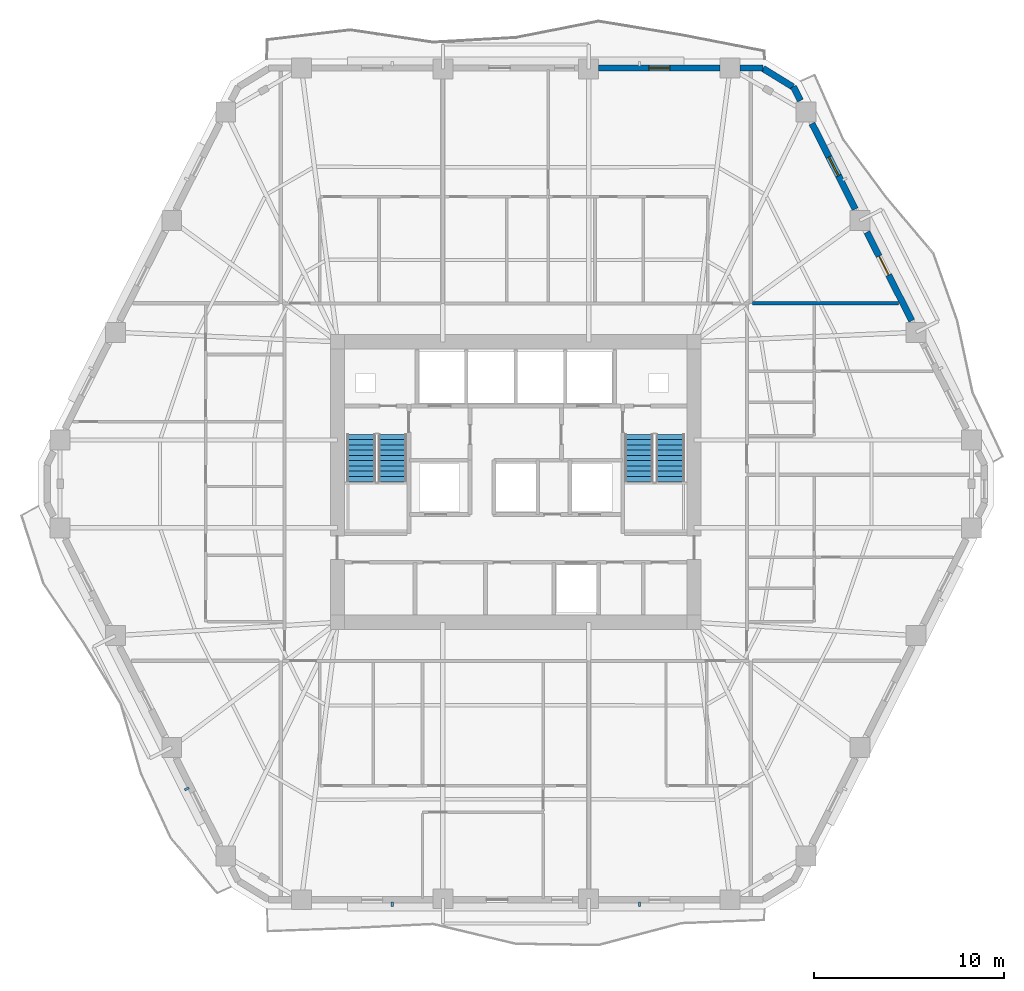
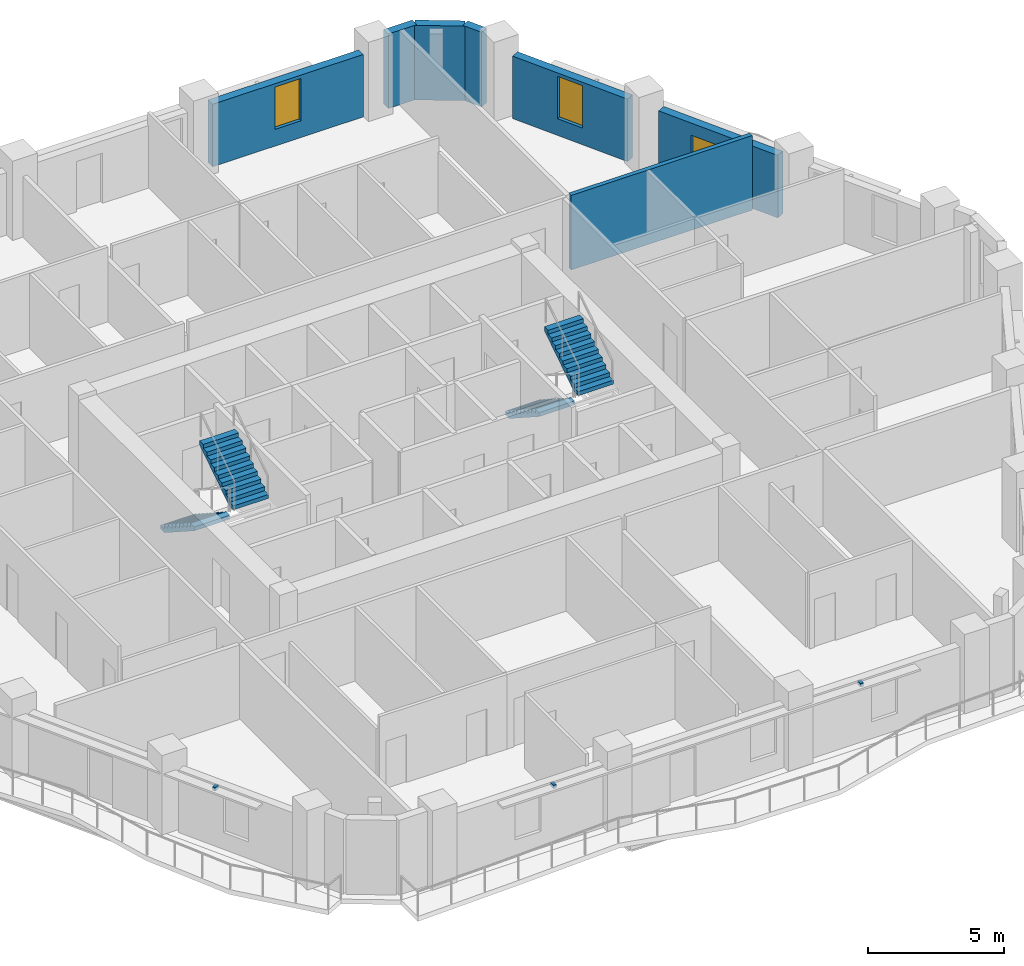
# One storey, part 8 of 12: 7 walls, 4 stair flights, 3 discrete accessories, 2 windows, 1 door, 3 openings, 2 elements without a shape of their own.
"""IFC4 building model written with IfcOpenShell, lengths in metres."""

from ifc_helpers import new_model, si_unit, direction, frame, frame_2d, origin, origin_2d, place, context, subcontext, project, spatial, polyline, rectangle, outline, extrude, material, layer, layer_set, type_object, element, fill, aggregate, save


model = new_model("IFC4")

# Units and contexts
model_context = context("Model", 3, precision=1e-05, world=origin(), true_north=direction((0.0, 1.0)))
body_context = subcontext(model_context, "Body", "Model", "MODEL_VIEW")
ifc_project = project(units=[si_unit("LENGTHUNIT", "METRE"), si_unit("AREAUNIT", "SQUARE_METRE"), si_unit("VOLUMEUNIT", "CUBIC_METRE"), si_unit("PLANEANGLEUNIT", "RADIAN"), si_unit("MASSUNIT", "GRAM", prefix="KILO")], contexts=[model_context])

# Site, building, storey
site_placement = place(None, origin())
site = spatial("IfcSite", under=ifc_project, at=site_placement, CompositionType="ELEMENT")
building_placement = place(site_placement, origin())
building = spatial("IfcBuilding", under=site, at=building_placement, Name="Cinnabar Lancet Tower", CompositionType="ELEMENT")
storey_placement = place(building_placement, frame((0.0, 0.0, 109.050048828125)))
storey = spatial("IfcBuildingStorey", under=building, at=storey_placement, Name="L28", CompositionType="ELEMENT", Elevation=109.050048828125)

# Walls
ifc_material_1 = material(Name="Fire-rated twin-frame acoustic drywall", Category="gypsum")
ifc_layer_1 = layer(ifc_material_1, 0.179931640625)
ifc_layer_set_1 = layer_set([ifc_layer_1], Name="Fire-rated twin-frame acoustic drywall")
wall_type_1 = type_object("IfcWallType", Name="ARC-WL-PARTY-180", PredefinedType="PARTITIONING", material=ifc_layer_set_1)
wall_1_placement = place(storey_placement, frame((44.844970703125, 35.300048828125, 0.0), z_axis=(0.0, 0.0, 1.0), x_axis=(1.0, 0.0, 0.0)))
element("IfcWall", 1, at=wall_1_placement, inside=storey, type_object=wall_type_1, Name="PW-L28-ENB", PredefinedType="PARTITIONING", context=body_context, shape_type="SweptSolid", body=[
    extrude(rectangle(XDim=7.6689453125, YDim=0.179931640625, at=frame_2d((3.83447265625, 0.0))), origin(), (0.0, 0.0, 1.0), 3.33984375),
])
ifc_material_2 = material(Name="Cinnabar red clay brick", Category="masonry")
ifc_layer_2 = layer(ifc_material_2, 0.340087890625)
ifc_layer_set_2 = layer_set([ifc_layer_2], Name="Cinnabar red clay brick")
wall_type_2 = type_object("IfcWallType", Name="ENV-WL-BRK-RED-340", PredefinedType="STANDARD", material=ifc_layer_set_2)
wall_2_placement = place(storey_placement, frame((46.970947265625, 46.677001953125, 0.0), z_axis=(0.0, 0.0, 1.0), x_axis=(-0.851798915137, 0.523868884523, 0.0)))
element("IfcWall", 2, at=wall_2_placement, inside=storey, type_object=wall_type_2, Name="L28 Chamfered Corner Brick Pier 4.1", PredefinedType="STANDARD", context=body_context, shape_type="SweptSolid", body=[
    extrude(rectangle(XDim=1.847900390625, YDim=0.340087890625, at=frame_2d((0.923828125, 0.0))), origin(), (0.0, 0.0, 1.0), 3.33984375),
])

# Wall, opening, door
wall_3_placement = place(storey_placement, frame((53.219970703125, 34.382080078125, 0.0), z_axis=(0.0, 0.0, 1.0), x_axis=(-0.451567731634, 0.892236842855, 0.0)))
wall_3 = element("IfcWall", 3, at=wall_3_placement, inside=storey, type_object=wall_type_2, Name="L28 Face 3 Masonry Bay Wall 3", PredefinedType="STANDARD", context=body_context, shape_type="SweptSolid", body=[
    extrude(rectangle(XDim=5.219482421875, YDim=0.340087890625, at=frame_2d((2.60986328125, 0.0))), origin(), (0.0, 0.0, 1.0), 2.796875),
])
opening_1_placement = place(wall_3_placement, frame((2.698974609375, 0.0, 0.0)))
opening_1 = element("IfcOpeningElement", 4, at=opening_1_placement, cuts=wall_3, Name="Opening TD-01", PredefinedType="OPENING", context=body_context, shape_type="SweptSolid", body=[
    extrude(rectangle(XDim=1.10009765625, YDim=2.25, at=frame_2d((0.550048828125, 1.125))), frame((0.0, 0.179931640625, 0.0), z_axis=(0.0, -1.0, 0.0), x_axis=(1.0, 0.0, 0.0)), (0.0, 0.0, 1.0), 0.360107421875),
])
ifc_material_3 = material(Name="Thermally broken low-E glazed balcony terrace door", Category="wood")
door_type = type_object("IfcDoorType", Name="ARC-DR-BALC", OperationType="NOTDEFINED", PredefinedType="DOOR", material=ifc_material_3)
door_placement = place(opening_1_placement, origin())
door = element("IfcDoor", 5, at=door_placement, inside=storey, type_object=door_type, Name="L28 Face 3 Glazed Terrace Door", OperationType="SINGLE_SWING_LEFT", OverallHeight=2.25, OverallWidth=1.10009765625, PredefinedType="DOOR", context=body_context, shape_type="SweptSolid", body=[
    extrude(rectangle(XDim=1.10009765625, YDim=2.25, at=frame_2d((0.550048828125, 1.125))), frame((0.0, 0.02490234375, 0.0), z_axis=(0.0, -1.0, 0.0), x_axis=(1.0, 0.0, 0.0)), (0.0, 0.0, 1.0), 0.050048828125),
])
fill(opening_1, door)

# Wall, opening, window
wall_4_placement = place(storey_placement, frame((50.2509765625, 40.2509765625, 0.0), z_axis=(0.0, 0.0, 1.0), x_axis=(-0.451548465867, 0.892246593142, 0.0)))
wall_4 = element("IfcWall", 6, at=wall_4_placement, inside=storey, type_object=wall_type_2, Name="L28 Face 3 Masonry Bay Wall 4", PredefinedType="STANDARD", context=body_context, shape_type="SweptSolid", body=[
    extrude(rectangle(XDim=5.040283203125, YDim=0.340087890625, at=frame_2d((2.52001953125, 0.0))), origin(), (0.0, 0.0, 1.0), 2.796875),
])
opening_2_placement = place(wall_4_placement, frame((1.969970703125, 0.0, 0.75)))
opening_2 = element("IfcOpeningElement", 7, at=opening_2_placement, cuts=wall_4, Name="Opening WN-04", PredefinedType="OPENING", context=body_context, shape_type="SweptSolid", body=[
    extrude(rectangle(XDim=1.10009765625, YDim=1.89697265625, at=frame_2d((0.550048828125, 0.948486328125))), frame((0.0, 0.179931640625, 0.0), z_axis=(0.0, -1.0, 0.0), x_axis=(1.0, 0.0, 0.0)), (0.0, 0.0, 1.0), 0.360107421875),
])
ifc_material_4 = material(Name="Thermally broken bronze-anodized aluminium tall lancet window", Category="aluminium")
window_type = type_object("IfcWindowType", Name="ENV-WN-LANCET-1100", PartitioningType="SINGLE_PANEL", PredefinedType="WINDOW", material=ifc_material_4)
window_1_placement = place(opening_2_placement, origin())
window_1 = element("IfcWindow", 8, at=window_1_placement, inside=storey, type_object=window_type, Name="L28 Face 3 Gothic Lancet Window 4", OverallHeight=1.89697265625, OverallWidth=1.10009765625, PartitioningType="SINGLE_PANEL", PredefinedType="WINDOW", context=body_context, shape_type="SweptSolid", body=[
    extrude(rectangle(XDim=1.10009765625, YDim=1.89697265625, at=frame_2d((0.550048828125, 0.948486328125))), frame((0.0, 0.030029296875, 0.0), z_axis=(0.0, -1.0, 0.0), x_axis=(1.0, 0.0, 0.0)), (0.0, 0.0, 1.0), 0.06005859375),
])
fill(opening_2, window_1)

# Walls
wall_5_placement = place(storey_placement, frame((47.362060546875, 45.9599609375, 0.0), z_axis=(0.0, 0.0, 1.0), x_axis=(-0.45160540153, 0.89221777684, 0.0)))
element("IfcWall", 9, at=wall_5_placement, inside=storey, type_object=wall_type_2, Name="L28 Face 3 Masonry Bay Wall 5", PredefinedType="STANDARD", context=body_context, shape_type="SweptSolid", body=[
    extrude(rectangle(XDim=0.82177734375, YDim=0.340087890625, at=frame_2d((0.410888671875, 0.0))), origin(), (0.0, 0.0, 1.0), 3.33984375),
])
wall_6_placement = place(storey_placement, frame((45.402099609375, 47.669921875, 0.0), z_axis=(0.0, 0.0, 1.0), x_axis=(-1.0, 0.0, 0.0)))
element("IfcWall", 10, at=wall_6_placement, inside=storey, type_object=wall_type_2, Name="L28 Face 4 Masonry Bay Wall 1", PredefinedType="STANDARD", context=body_context, shape_type="SweptSolid", body=[
    extrude(rectangle(XDim=1.2041015625, YDim=0.340087890625, at=frame_2d((0.60205078125, 0.0))), origin(), (0.0, 0.0, 1.0), 3.33984375),
])

# Wall, opening, window
wall_7_placement = place(storey_placement, frame((43.139892578125, 47.669921875, 0.0), z_axis=(0.0, 0.0, 1.0), x_axis=(-1.0, 0.0, 0.0)))
wall_7 = element("IfcWall", 11, at=wall_7_placement, inside=storey, type_object=wall_type_2, Name="L28 Face 4 Masonry Bay Wall 2", PredefinedType="STANDARD", context=body_context, shape_type="SweptSolid", body=[
    extrude(rectangle(XDim=6.37890625, YDim=0.340087890625, at=frame_2d((3.189453125, 0.0))), origin(), (0.0, 0.0, 1.0), 2.796875),
])
opening_3_placement = place(wall_7_placement, frame((2.638916015625, 0.0, 0.75)))
opening_3 = element("IfcOpeningElement", 12, at=opening_3_placement, cuts=wall_7, Name="Opening WN-04", PredefinedType="OPENING", context=body_context, shape_type="SweptSolid", body=[
    extrude(rectangle(XDim=1.10009765625, YDim=1.89697265625, at=frame_2d((0.550048828125, 0.948486328125))), frame((0.0, 0.179931640625, 0.0), z_axis=(0.0, -1.0, 0.0), x_axis=(1.0, 0.0, 0.0)), (0.0, 0.0, 1.0), 0.360107421875),
])
window_2_placement = place(opening_3_placement, origin())
window_2 = element("IfcWindow", 13, at=window_2_placement, inside=storey, type_object=window_type, Name="L28 Face 4 Gothic Lancet Window 2", OverallHeight=1.89697265625, OverallWidth=1.10009765625, PartitioningType="SINGLE_PANEL", PredefinedType="WINDOW", context=body_context, shape_type="SweptSolid", body=[
    extrude(rectangle(XDim=1.10009765625, YDim=1.89697265625, at=frame_2d((0.550048828125, 0.948486328125))), frame((0.0, 0.030029296875, 0.0), z_axis=(0.0, -1.0, 0.0), x_axis=(1.0, 0.0, 0.0)), (0.0, 0.0, 1.0), 0.06005859375),
])
fill(opening_3, window_2)

# Stair, stair flights
ifc_material_5 = material(Name="Concrete C40/50", Category="concrete")
stair_type = type_object("IfcStairType", Name="ST-CORE", PredefinedType="HALF_TURN_STAIR", material=ifc_material_5)
stair_1_placement = place(storey_placement, origin())
stair_1 = element("IfcStair", 14, at=stair_1_placement, inside=storey, type_object=stair_type, Name="L28 ST-1", PredefinedType="HALF_TURN_STAIR")
ifc_material_6 = material(Name="Concrete C40/50", Category="concrete")
stair_flight_type = type_object("IfcStairFlightType", Name="FLIGHT-CORE", PredefinedType="STRAIGHT", material=ifc_material_6)
stair_flight_1_placement = place(storey_placement, frame((24.27490234375, 28.39990234375, 0.0), z_axis=(0.0, 0.0, 1.0), x_axis=(0.0, -1.0, 0.0)))
stair_flight_1 = element("IfcStairFlight", 15, at=stair_flight_1_placement, type_object=stair_flight_type, Name="ST-1 flight 1", NumberOfRisers=10, NumberOfTreads=9, PredefinedType="STRAIGHT", RiserHeight=0.1775, TreadLength=0.275, context=body_context, shape_type="SweptSolid", body=[
    extrude(outline(polyline([(0.0, 0.0), (0.0, 0.177490234375), (0.27490234375, 0.177490234375), (0.27490234375, 0.35498046875), (0.550048828125, 0.35498046875), (0.550048828125, 0.532470703125), (0.824951171875, 0.532470703125), (0.824951171875, 0.7099609375), (1.10009765625, 0.7099609375), (1.10009765625, 0.887451171875), (1.375, 0.887451171875), (1.375, 1.06494140625), (1.64990234375, 1.06494140625), (1.64990234375, 1.242431640625), (1.925048828125, 1.242431640625), (1.925048828125, 1.419921875), (2.199951171875, 1.419921875), (2.199951171875, 1.597412109375), (2.47509765625, 1.597412109375), (2.47509765625, 1.77490234375), (2.47509765625, 1.419189453125), (0.2763671875, 0.0), (0.0, 0.0)])), frame((0.0, 0.75, 0.0), z_axis=(0.0, -1.0, 0.0), x_axis=(1.0, 0.0, 0.0)), (0.0, 0.0, 1.0), 1.5),
])
stair_flight_2_placement = place(storey_placement, frame((25.925048828125, 25.925048828125, 1.77490234375), z_axis=(0.0, 0.0, 1.0), x_axis=(0.0, 1.0, 0.0)))
stair_flight_2 = element("IfcStairFlight", 16, at=stair_flight_2_placement, type_object=stair_flight_type, Name="ST-1 flight 2", NumberOfRisers=10, NumberOfTreads=9, PredefinedType="STRAIGHT", RiserHeight=0.1775, TreadLength=0.275, context=body_context, shape_type="SweptSolid", body=[
    extrude(outline(polyline([(0.0, 0.0), (0.0, 0.177490234375), (0.27490234375, 0.177490234375), (0.27490234375, 0.35498046875), (0.550048828125, 0.35498046875), (0.550048828125, 0.532470703125), (0.824951171875, 0.532470703125), (0.824951171875, 0.7099609375), (1.10009765625, 0.7099609375), (1.10009765625, 0.887451171875), (1.375, 0.887451171875), (1.375, 1.06494140625), (1.64990234375, 1.06494140625), (1.64990234375, 1.242431640625), (1.925048828125, 1.242431640625), (1.925048828125, 1.419921875), (2.199951171875, 1.419921875), (2.199951171875, 1.597412109375), (2.47509765625, 1.597412109375), (2.47509765625, 1.77490234375), (2.47509765625, 1.419189453125), (0.2763671875, 0.0), (0.0, 0.0)])), frame((0.0, 0.75, 0.0), z_axis=(0.0, -1.0, 0.0), x_axis=(1.0, 0.0, 0.0)), (0.0, 0.0, 1.0), 1.5),
])
aggregate(stair_1, [stair_flight_1, stair_flight_2])

stair_2_placement = place(storey_placement, origin())
stair_2 = element("IfcStair", 17, at=stair_2_placement, inside=storey, type_object=stair_type, Name="L28 ST-2", PredefinedType="HALF_TURN_STAIR")
stair_flight_3_placement = place(storey_placement, frame((38.875, 28.39990234375, 0.0), z_axis=(0.0, 0.0, 1.0), x_axis=(0.0, -1.0, 0.0)))
stair_flight_3 = element("IfcStairFlight", 18, at=stair_flight_3_placement, type_object=stair_flight_type, Name="ST-2 flight 1", NumberOfRisers=10, NumberOfTreads=9, PredefinedType="STRAIGHT", RiserHeight=0.1775, TreadLength=0.275, context=body_context, shape_type="SweptSolid", body=[
    extrude(outline(polyline([(0.0, 0.0), (0.0, 0.177490234375), (0.27490234375, 0.177490234375), (0.27490234375, 0.35498046875), (0.550048828125, 0.35498046875), (0.550048828125, 0.532470703125), (0.824951171875, 0.532470703125), (0.824951171875, 0.7099609375), (1.10009765625, 0.7099609375), (1.10009765625, 0.887451171875), (1.375, 0.887451171875), (1.375, 1.06494140625), (1.64990234375, 1.06494140625), (1.64990234375, 1.242431640625), (1.925048828125, 1.242431640625), (1.925048828125, 1.419921875), (2.199951171875, 1.419921875), (2.199951171875, 1.597412109375), (2.47509765625, 1.597412109375), (2.47509765625, 1.77490234375), (2.47509765625, 1.419189453125), (0.2763671875, 0.0), (0.0, 0.0)])), frame((0.0, 0.75, 0.0), z_axis=(0.0, -1.0, 0.0), x_axis=(1.0, 0.0, 0.0)), (0.0, 0.0, 1.0), 1.5),
])
stair_flight_4_placement = place(storey_placement, frame((40.52490234375, 25.925048828125, 1.77490234375), z_axis=(0.0, 0.0, 1.0), x_axis=(0.0, 1.0, 0.0)))
stair_flight_4 = element("IfcStairFlight", 19, at=stair_flight_4_placement, type_object=stair_flight_type, Name="ST-2 flight 2", NumberOfRisers=10, NumberOfTreads=9, PredefinedType="STRAIGHT", RiserHeight=0.1775, TreadLength=0.275, context=body_context, shape_type="SweptSolid", body=[
    extrude(outline(polyline([(0.0, 0.0), (0.0, 0.177490234375), (0.27490234375, 0.177490234375), (0.27490234375, 0.35498046875), (0.550048828125, 0.35498046875), (0.550048828125, 0.532470703125), (0.824951171875, 0.532470703125), (0.824951171875, 0.7099609375), (1.10009765625, 0.7099609375), (1.10009765625, 0.887451171875), (1.375, 0.887451171875), (1.375, 1.06494140625), (1.64990234375, 1.06494140625), (1.64990234375, 1.242431640625), (1.925048828125, 1.242431640625), (1.925048828125, 1.419921875), (2.199951171875, 1.419921875), (2.199951171875, 1.597412109375), (2.47509765625, 1.597412109375), (2.47509765625, 1.77490234375), (2.47509765625, 1.419189453125), (0.2763671875, 0.0), (0.0, 0.0)])), frame((0.0, 0.75, 0.0), z_axis=(0.0, -1.0, 0.0), x_axis=(1.0, 0.0, 0.0)), (0.0, 0.0, 1.0), 1.5),
])
aggregate(stair_2, [stair_flight_3, stair_flight_4])

# Discrete accessories
ifc_material_7 = material(Name="Stainless steel 316 facade fixing bracket", Category="steel")
discrete_accessory_type = type_object("IfcDiscreteAccessoryType", Name="ENV-ACC-BRK-180", PredefinedType="BRACKET", material=ifc_material_7)
for number, where, z_axis, x_axis, name in (
    (20, (25.89892578125, 3.7099609375, 2.60009765625), (0.0, 0.0, 1.0), (1.0, 0.0, 0.0), "L28 Face 1 Sunshade Bracket A"),
    (21, (38.90087890625, 3.7099609375, 2.60009765625), (0.0, 0.0, 1.0), (1.0, 0.0, 0.0), "L28 Face 1 Sunshade Bracket B"),
    (22, (15.10107421875, 9.77197265625, 2.60009765625), (0.0, 0.0, 1.0), (0.451453853408, -0.892294468347, 0.0), "L28 Face 6 Sunshade Bracket B"),
):
    element("IfcDiscreteAccessory", number, at=place(storey_placement, frame(where, z_axis=z_axis, x_axis=x_axis)), inside=storey, type_object=discrete_accessory_type, Name=name, PredefinedType="BRACKET", context=body_context, shape_type="SweptSolid", body=[
        extrude(rectangle(XDim=0.1201171875, YDim=0.239990234375, at=origin_2d()), origin(), (0.0, 0.0, 1.0), 0.159912109375),
    ])

save(model, "model.ifc")
